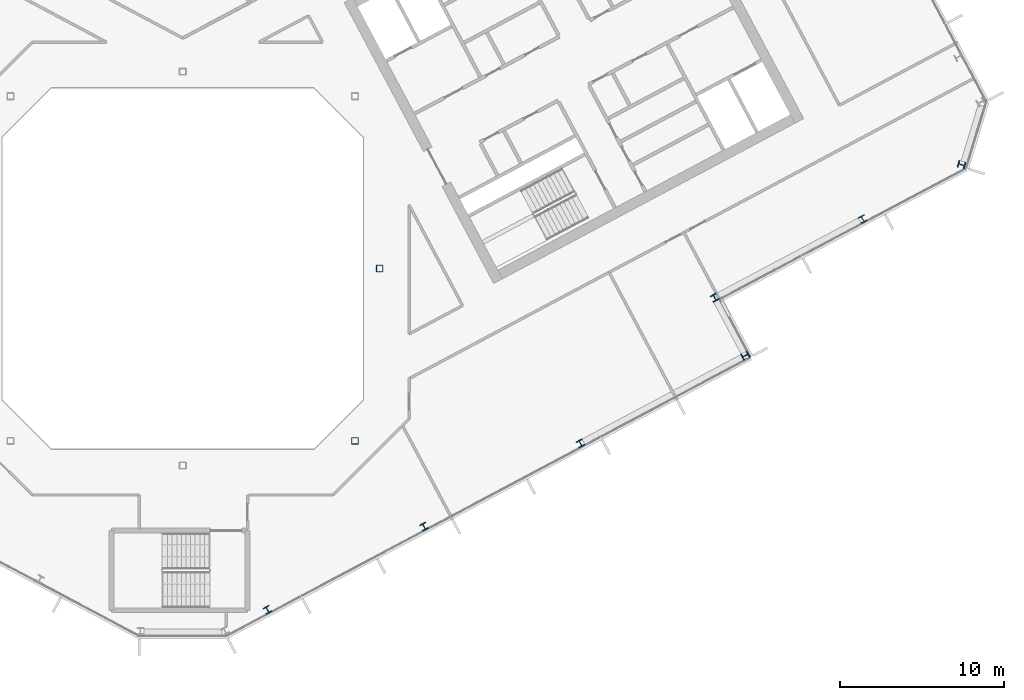
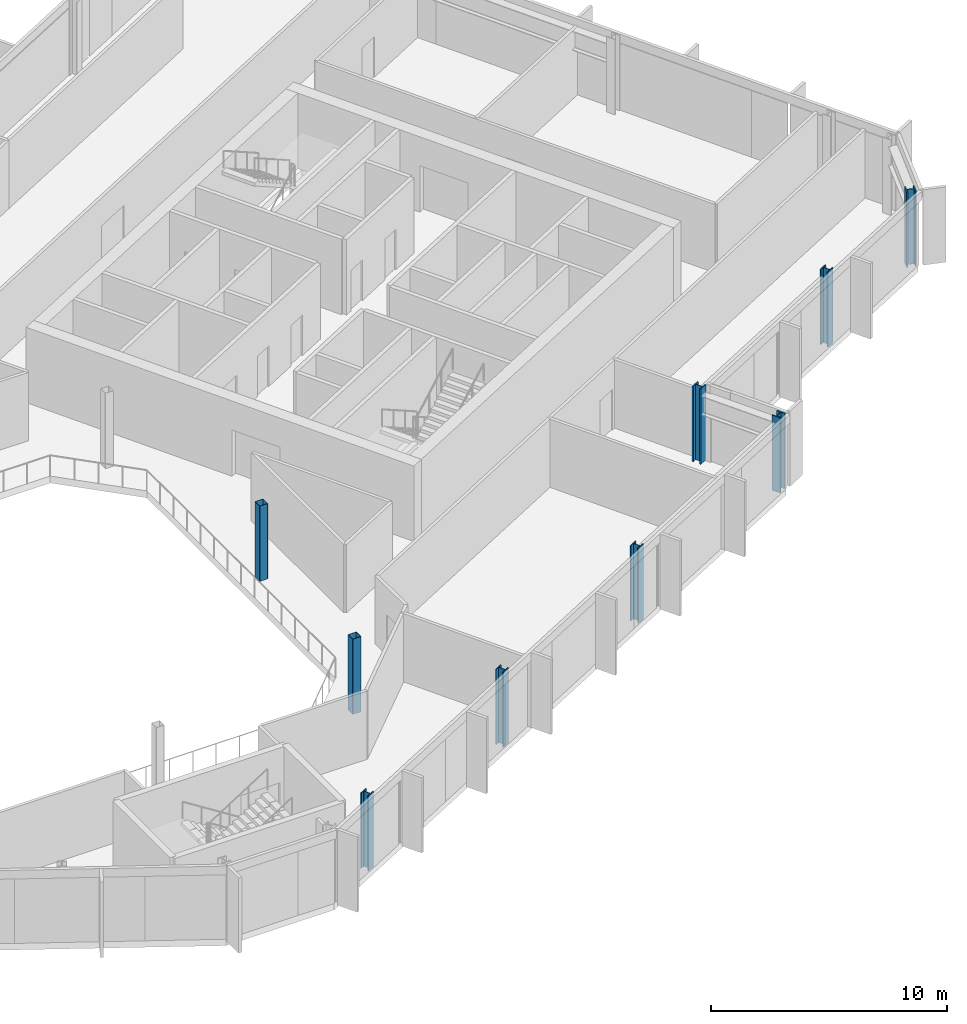
# One storey, part 5 of 26: 9 columns.
"""IFC4 building model written with IfcOpenShell, lengths in metres."""

from ifc_helpers import new_model, si_unit, direction, frame, origin, origin_2d, place, context, subcontext, project, spatial, hollow_rectangle, i_section, extrude, material, material_profile, profile_set, type_object, element, save


model = new_model("IFC4")

# Units and contexts
model_context = context("Model", 3, precision=1e-05, world=origin(), true_north=direction((0.0, 1.0)))
body_context = subcontext(model_context, "Body", "Model", "MODEL_VIEW")
ifc_project = project(units=[si_unit("LENGTHUNIT", "METRE"), si_unit("AREAUNIT", "SQUARE_METRE"), si_unit("VOLUMEUNIT", "CUBIC_METRE"), si_unit("PLANEANGLEUNIT", "RADIAN"), si_unit("MASSUNIT", "GRAM", prefix="KILO")], contexts=[model_context])

# Site, building, storey
site_placement = place(None, origin())
site = spatial("IfcSite", under=ifc_project, at=site_placement, CompositionType="ELEMENT")
building_placement = place(site_placement, origin())
building = spatial("IfcBuilding", under=site, at=building_placement, Name="Cormorant Relay Tower", CompositionType="ELEMENT")
storey_placement = place(building_placement, frame((0.0, 0.0, 197.39990234375)))
storey = spatial("IfcBuildingStorey", under=building, at=storey_placement, Name="L42", CompositionType="ELEMENT", Elevation=197.39990234375)

# Columns
ifc_material_1 = material(Name="Steel ASTM A500 Grade C (Fy 345 MPa)", Category="steel")
ifc_material_profile_1 = material_profile(ifc_material_1, hollow_rectangle(XDim=0.406494140625, YDim=0.406494140625, WallThickness=0.0146484375, InnerFilletRadius=0.00732421875, OuterFilletRadius=0.022216796875, at=origin_2d()), Name="HSS406x406x15")
ifc_profile_set_1 = profile_set([ifc_material_profile_1], Name="Steel ASTM A500 Grade C (Fy 345 MPa)")
column_type_1 = type_object("IfcColumnType", Name="Column HSS406x406x15", PredefinedType="COLUMN", material=ifc_profile_set_1)
for number, where, z_axis, x_axis, name in (
    (1, (10.5, -10.5, 0.0), (0.0, 0.0, 1.0), (1.0, 0.0, 0.0), "Column L42-010"),
    (2, (12.0, 0.0, 0.0), (0.0, 0.0, 1.0), (1.0, 0.0, 0.0), "Column L42-016"),
):
    element("IfcColumn", number, at=place(storey_placement, frame(where, z_axis=z_axis, x_axis=x_axis)), inside=storey, type_object=column_type_1, Name=name, PredefinedType="COLUMN", context=body_context, shape_type="SweptSolid", body=[
        extrude(hollow_rectangle(XDim=0.406494140625, YDim=0.406494140625, WallThickness=0.0146484375, InnerFilletRadius=0.00732421875, OuterFilletRadius=0.022216796875, at=origin_2d()), origin(), (0.0, 0.0, 1.0), 3.900146484375),
    ])
ifc_material_2 = material(Name="Steel ASTM A992 (Fy 345 MPa)", Category="steel")
ifc_material_profile_2 = material_profile(ifc_material_2, i_section(OverallWidth=0.40380859375, OverallDepth=0.406494140625, WebThickness=0.027099609375, FlangeThickness=0.043701171875, FilletRadius=0.01513671875, at=origin_2d()), Name="W360x347")
ifc_profile_set_2 = profile_set([ifc_material_profile_2], Name="Steel ASTM A992 (Fy 345 MPa)")
column_type_2 = type_object("IfcColumnType", Name="Column W360x347", PredefinedType="COLUMN", material=ifc_profile_set_2)
for number, where, z_axis, x_axis, name in (
    (3, (5.1689453125, -20.798095703125, 0.0), (0.0, 0.0, 1.0), (0.882947592859, 0.469471562786, 0.0), "Column L42-003"),
    (4, (14.705078125, -15.72705078125, 0.0), (0.0, 0.0, 1.0), (0.882947592859, 0.469471562786, 0.0), "Column L42-005"),
    (5, (24.240966796875, -10.656982421875, 0.0), (0.0, 0.0, 1.0), (0.882947592859, 0.469471562786, 0.0), "Column L42-008"),
    (6, (41.43408203125, 3.014892578125, 0.0), (0.0, 0.0, 1.0), (0.882947592859, 0.469471562786, 0.0), "Column L42-019"),
):
    element("IfcColumn", number, at=place(storey_placement, frame(where, z_axis=z_axis, x_axis=x_axis)), inside=storey, type_object=column_type_2, Name=name, PredefinedType="COLUMN", context=body_context, shape_type="SweptSolid", body=[
        extrude(i_section(OverallWidth=0.40380859375, OverallDepth=0.406494140625, WebThickness=0.027099609375, FlangeThickness=0.043701171875, FilletRadius=0.01513671875, at=origin_2d()), origin(), (0.0, 0.0, 1.0), 3.900146484375),
    ])
ifc_material_3 = material(Name="Steel ASTM A992 (Fy 345 MPa)", Category="steel")
ifc_material_profile_3 = material_profile(ifc_material_3, i_section(OverallWidth=0.41162109375, OverallDepth=0.434326171875, WebThickness=0.035888671875, FlangeThickness=0.057373046875, FilletRadius=0.01513671875, at=origin_2d()), Name="W360x463")
ifc_profile_set_3 = profile_set([ifc_material_profile_3], Name="Steel ASTM A992 (Fy 345 MPa)")
column_type_3 = type_object("IfcColumnType", Name="Column W360x463", PredefinedType="COLUMN", material=ifc_profile_set_3)
for number, where, z_axis, x_axis, name in (
    (7, (34.284912109375, -5.305908203125, 0.0), (0.0, 0.0, 1.0), (-0.469471562786, 0.882947592859, 0.0), "Column L42-012"),
    (8, (32.4169921875, -1.777099609375, 0.0), (0.0, 0.0, 1.0), (0.882947592859, 0.469471562786, 0.0), "Column L42-014"),
    (9, (47.458984375, 6.325927734375, 0.0), (0.0, 0.0, 1.0), (0.292371704723, 0.956304755963, 0.0), "Column L42-020"),
):
    element("IfcColumn", number, at=place(storey_placement, frame(where, z_axis=z_axis, x_axis=x_axis)), inside=storey, type_object=column_type_3, Name=name, PredefinedType="COLUMN", context=body_context, shape_type="SweptSolid", body=[
        extrude(i_section(OverallWidth=0.41162109375, OverallDepth=0.434326171875, WebThickness=0.035888671875, FlangeThickness=0.057373046875, FilletRadius=0.01513671875, at=origin_2d()), origin(), (0.0, 0.0, 1.0), 3.900146484375),
    ])

save(model, "model.ifc")
